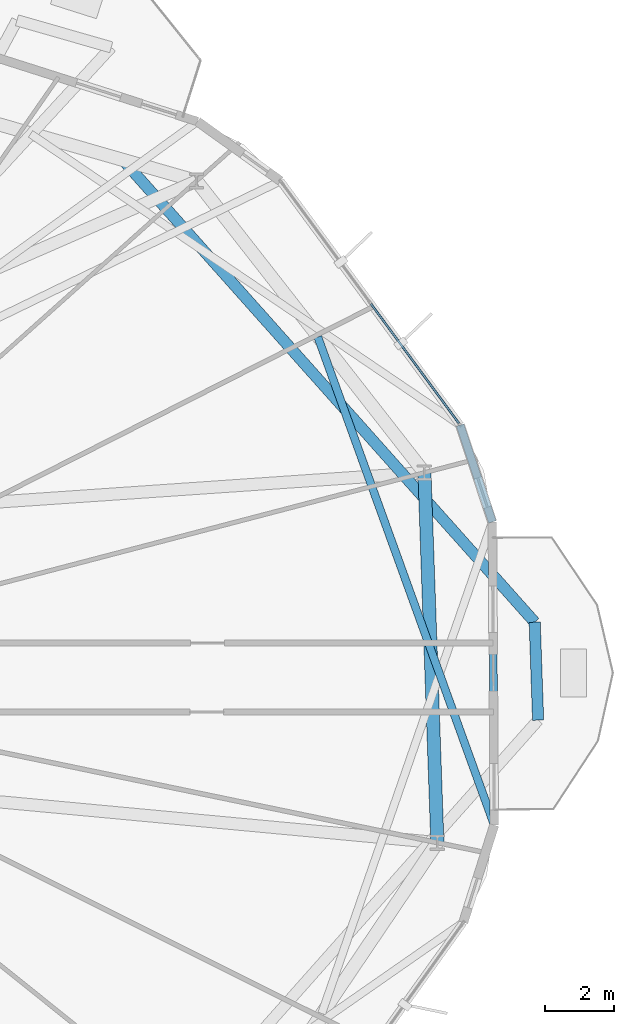
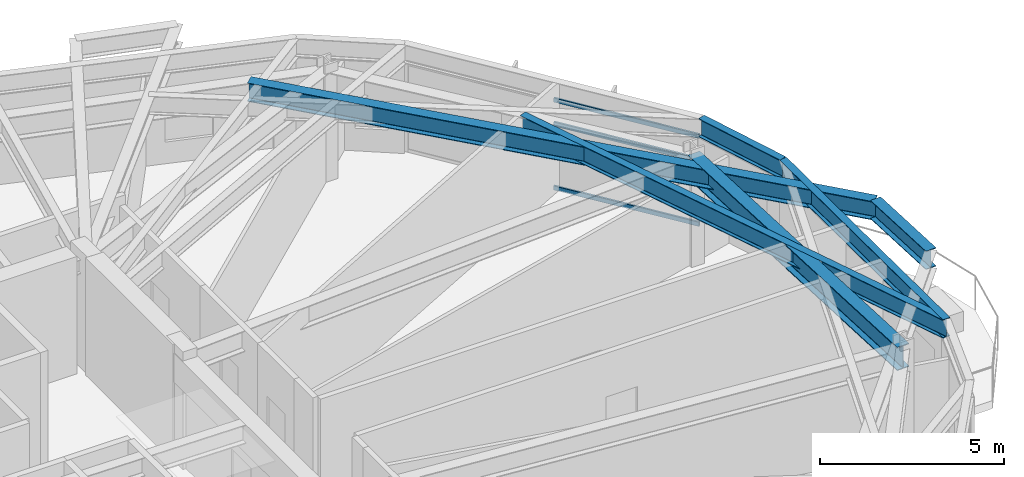
# One storey, part 15 of 27: 6 beams, 3 members, 1 element without a shape of its own.
"""IFC4 building model written with IfcOpenShell, lengths in metres."""

from ifc_helpers import new_model, si_unit, direction, frame, origin, origin_2d, place, context, subcontext, project, spatial, hollow_rectangle, i_section, extrude, material, layer, layer_set, material_profile, profile_set, type_object, element, aggregate, save


model = new_model("IFC4")

# Units and contexts
model_context = context("Model", 3, precision=1e-05, world=origin(), true_north=direction((0.0, 1.0)))
body_context = subcontext(model_context, "Body", "Model", "MODEL_VIEW")
ifc_project = project(units=[si_unit("LENGTHUNIT", "METRE"), si_unit("AREAUNIT", "SQUARE_METRE"), si_unit("VOLUMEUNIT", "CUBIC_METRE"), si_unit("PLANEANGLEUNIT", "RADIAN"), si_unit("MASSUNIT", "GRAM", prefix="KILO")], contexts=[model_context])

# Site, building, storey
site_placement = place(None, origin())
site = spatial("IfcSite", under=ifc_project, at=site_placement, CompositionType="ELEMENT")
building_placement = place(site_placement, origin())
building = spatial("IfcBuilding", under=site, at=building_placement, Name="Soratama Intermodal Tower", CompositionType="ELEMENT")
storey_placement = place(building_placement, frame((0.0, 0.0, 99.10009765625)))
storey = spatial("IfcBuildingStorey", under=building, at=storey_placement, Name="L23", CompositionType="ELEMENT", Elevation=99.10009765625)

# Beams
ifc_material_1 = material(Name="Structural steel ASTM A992 Grade 50", Category="steel")
ifc_material_profile_1 = material_profile(ifc_material_1, i_section(OverallWidth=0.324951171875, OverallDepth=0.615966796875, WebThickness=0.013916015625, FlangeThickness=0.021484375, FilletRadius=0.013916015625, at=origin_2d()), Name="W24X117")
ifc_profile_set_1 = profile_set([ifc_material_profile_1], Name="Structural steel ASTM A992 Grade 50")
beam_type_1 = type_object("IfcBeamType", Name="BM-CANT-W24X117", PredefinedType="BEAM", material=ifc_profile_set_1)
beam_1_placement = place(storey_placement, frame((64.653076171875, 23.761962890625, 3.2919921875), z_axis=(-0.034807752834, 0.999394026569, 0.0), x_axis=(-0.999394026569, -0.034807752834, 0.0)))
element("IfcBeam", 1, at=beam_1_placement, inside=storey, type_object=beam_type_1, Name="BM-L23-CBHDR-1", PredefinedType="BEAM", context=body_context, shape_type="SweptSolid", body=[
    extrude(i_section(OverallWidth=0.324951171875, OverallDepth=0.615966796875, WebThickness=0.013916015625, FlangeThickness=0.021484375, FilletRadius=0.013916015625, at=origin_2d()), origin(), (0.0, 0.0, 1.0), 2.84765625),
])
beam_2_placement = place(storey_placement, frame((52.613037109375, 40.010009765625, 3.2919921875), z_axis=(0.665232925699, -0.746635891561, 0.0), x_axis=(0.746635891561, 0.665232925699, 0.0)))
element("IfcBeam", 2, at=beam_2_placement, inside=storey, type_object=beam_type_1, Name="BM-L23-CANT-1-2", PredefinedType="BEAM", context=body_context, shape_type="SweptSolid", body=[
    extrude(i_section(OverallWidth=0.324951171875, OverallDepth=0.615966796875, WebThickness=0.013916015625, FlangeThickness=0.021484375, FilletRadius=0.013916015625, at=origin_2d()), origin(), (0.0, 0.0, 1.0), 17.949951171875),
])
ifc_material_2 = material(Name="Structural steel ASTM A992 Grade 50", Category="steel")
ifc_material_profile_2 = material_profile(ifc_material_2, i_section(OverallWidth=0.382080078125, OverallDepth=0.779052734375, WebThickness=0.01806640625, FlangeThickness=0.030029296875, FilletRadius=0.01806640625, at=origin_2d()), Name="W30X191")
ifc_profile_set_2 = profile_set([ifc_material_profile_2], Name="Structural steel ASTM A992 Grade 50")
beam_type_2 = type_object("IfcBeamType", Name="BM-RING-W30X191", PredefinedType="BEAM", material=ifc_profile_set_2)
beam_3_placement = place(storey_placement, frame((61.72607421875, 20.2041015625, 3.21044921875), z_axis=(-0.034872799059, 0.999391758964, 0.0), x_axis=(-0.999391758964, -0.034872799059, 0.0)))
element("IfcBeam", 3, at=beam_3_placement, inside=storey, type_object=beam_type_2, Name="BM-L23-RING-10", PredefinedType="BEAM", context=body_context, shape_type="SweptSolid", body=[
    extrude(i_section(OverallWidth=0.382080078125, OverallDepth=0.779052734375, WebThickness=0.01806640625, FlangeThickness=0.030029296875, FilletRadius=0.01806640625, at=origin_2d()), origin(), (0.0, 0.0, 1.0), 10.75341796875),
])
ifc_material_3 = material(Name="Structural steel ASTM A992 Grade 50", Category="steel")
ifc_material_profile_3 = material_profile(ifc_material_3, i_section(OverallWidth=0.22900390625, OverallDepth=0.612060546875, WebThickness=0.011962890625, FlangeThickness=0.01953125, FilletRadius=0.012939453125, at=origin_2d()), Name="W24X84")
ifc_profile_set_3 = profile_set([ifc_material_profile_3], Name="Structural steel ASTM A992 Grade 50")
beam_type_3 = type_object("IfcBeamType", Name="BM-SPN-W24X84", PredefinedType="SPANDREL", material=ifc_profile_set_3)
beam_4_placement = place(storey_placement, frame((63.37890625, 20.7119140625, 3.2939453125), z_axis=(-0.006237749449, 0.999980545052, 0.0), x_axis=(-0.999980545052, -0.006237749449, 0.0)))
element("IfcBeam", 4, at=beam_4_placement, inside=storey, type_object=beam_type_3, Name="BS-L23-F10", PredefinedType="SPANDREL", context=body_context, shape_type="SweptSolid", body=[
    extrude(i_section(OverallWidth=0.22900390625, OverallDepth=0.612060546875, WebThickness=0.011962890625, FlangeThickness=0.01953125, FilletRadius=0.012939453125, at=origin_2d()), origin(), (0.0, 0.0, 1.0), 8.806396484375),
])
beam_5_placement = place(storey_placement, frame((63.323974609375, 29.51806640625, 3.2939453125), z_axis=(-0.315141431642, 0.949044718684, 0.0), x_axis=(-0.949044718684, -0.315141431642, 0.0)))
element("IfcBeam", 5, at=beam_5_placement, inside=storey, type_object=beam_type_3, Name="BS-L23-CRN10", PredefinedType="SPANDREL", context=body_context, shape_type="SweptSolid", body=[
    extrude(i_section(OverallWidth=0.22900390625, OverallDepth=0.612060546875, WebThickness=0.011962890625, FlangeThickness=0.01953125, FilletRadius=0.012939453125, at=origin_2d()), origin(), (0.0, 0.0, 1.0), 2.967041015625),
])
ifc_material_4 = material(Name="Structural steel ASTM A992 Grade 50", Category="steel")
ifc_material_profile_4 = material_profile(ifc_material_4, i_section(OverallWidth=0.22900390625, OverallDepth=0.612060546875, WebThickness=0.011962890625, FlangeThickness=0.01953125, FilletRadius=0.012939453125, at=origin_2d()), Name="W24X84")
ifc_profile_set_4 = profile_set([ifc_material_profile_4], Name="Structural steel ASTM A992 Grade 50")
beam_type_4 = type_object("IfcBeamType", Name="BM-TIE-W24X84", PredefinedType="BEAM", material=ifc_profile_set_4)
beam_6_placement = place(storey_placement, frame((58.25390625, 34.89404296875, 3.2939453125), z_axis=(0.339860085509, -0.940476008348, 0.0), x_axis=(0.940476008348, 0.339860085509, 0.0)))
element("IfcBeam", 6, at=beam_6_placement, inside=storey, type_object=beam_type_4, Name="BM-L23-TIE0-10", PredefinedType="BEAM", context=body_context, shape_type="SweptSolid", body=[
    extrude(i_section(OverallWidth=0.22900390625, OverallDepth=0.612060546875, WebThickness=0.011962890625, FlangeThickness=0.01953125, FilletRadius=0.012939453125, at=origin_2d()), origin(), (0.0, 0.0, 1.0), 15.079833984375),
])

# Curtain wall, members
ifc_material_5 = material(Name="Double-glazed aluminium curtain wall", Category="aluminium")
ifc_layer = layer(ifc_material_5, 0.159912109375)
ifc_layer_set = layer_set([ifc_layer], Name="Double-glazed aluminium curtain wall")
curtain_wall_type = type_object("IfcCurtainWallType", Name="CW-SYS-3", PredefinedType="NOTDEFINED", material=ifc_layer_set)
curtain_wall_placement = place(storey_placement, origin())
curtain_wall = element("IfcCurtainWall", 7, at=curtain_wall_placement, inside=storey, type_object=curtain_wall_type, Name="L23 Faceted Curtain Wall F01", PredefinedType="NOTDEFINED")
ifc_material_6 = material(Name="Anodised aluminium AA 6063-T6", Category="aluminium")
ifc_material_profile_5 = material_profile(ifc_material_6, hollow_rectangle(XDim=0.06494140625, YDim=0.14990234375, WallThickness=0.0048828125, InnerFilletRadius=0.0048828125, OuterFilletRadius=0.010009765625, at=origin_2d()), Name="CWT150X65X5")
ifc_profile_set_5 = profile_set([ifc_material_profile_5], Name="Anodised aluminium AA 6063-T6")
member_type = type_object("IfcMemberType", Name="TT-CWT-1", PredefinedType="USERDEFINED", material=ifc_profile_set_5)
member_1_placement = place(storey_placement, frame((62.353759765625, 32.38232421875, 0.02978515625), z_axis=(-0.592839861854, 0.805320369913, 0.0), x_axis=(-0.805320369913, -0.592839861854, 0.0)))
member_1 = element("IfcMember", 8, at=member_1_placement, type_object=member_type, Name="CW-3 transom 1.1", ObjectType="TRANSOM", PredefinedType="USERDEFINED", context=body_context, shape_type="SweptSolid", body=[
    extrude(hollow_rectangle(XDim=0.06494140625, YDim=0.14990234375, WallThickness=0.0048828125, InnerFilletRadius=0.0048828125, OuterFilletRadius=0.010009765625, at=origin_2d()), origin(), (0.0, 0.0, 1.0), 4.3134765625),
])
member_2_placement = place(storey_placement, frame((62.353759765625, 32.38232421875, 2.14990234375), z_axis=(-0.592839861854, 0.805320369913, 0.0), x_axis=(-0.805320369913, -0.592839861854, 0.0)))
member_2 = element("IfcMember", 9, at=member_2_placement, type_object=member_type, Name="CW-3 transom 1.2", ObjectType="TRANSOM", PredefinedType="USERDEFINED", context=body_context, shape_type="SweptSolid", body=[
    extrude(hollow_rectangle(XDim=0.06494140625, YDim=0.14990234375, WallThickness=0.0048828125, InnerFilletRadius=0.0048828125, OuterFilletRadius=0.010009765625, at=origin_2d()), origin(), (0.0, 0.0, 1.0), 4.3134765625),
])
member_3_placement = place(storey_placement, frame((62.353759765625, 32.38232421875, 2.948974609375), z_axis=(-0.592839861854, 0.805320369913, 0.0), x_axis=(-0.805320369913, -0.592839861854, 0.0)))
member_3 = element("IfcMember", 10, at=member_3_placement, type_object=member_type, Name="CW-3 transom 1.3", ObjectType="TRANSOM", PredefinedType="USERDEFINED", context=body_context, shape_type="SweptSolid", body=[
    extrude(hollow_rectangle(XDim=0.06494140625, YDim=0.14990234375, WallThickness=0.0048828125, InnerFilletRadius=0.0048828125, OuterFilletRadius=0.010009765625, at=origin_2d()), origin(), (0.0, 0.0, 1.0), 4.3134765625),
])
aggregate(curtain_wall, [member_1, member_2, member_3])

save(model, "model.ifc")
